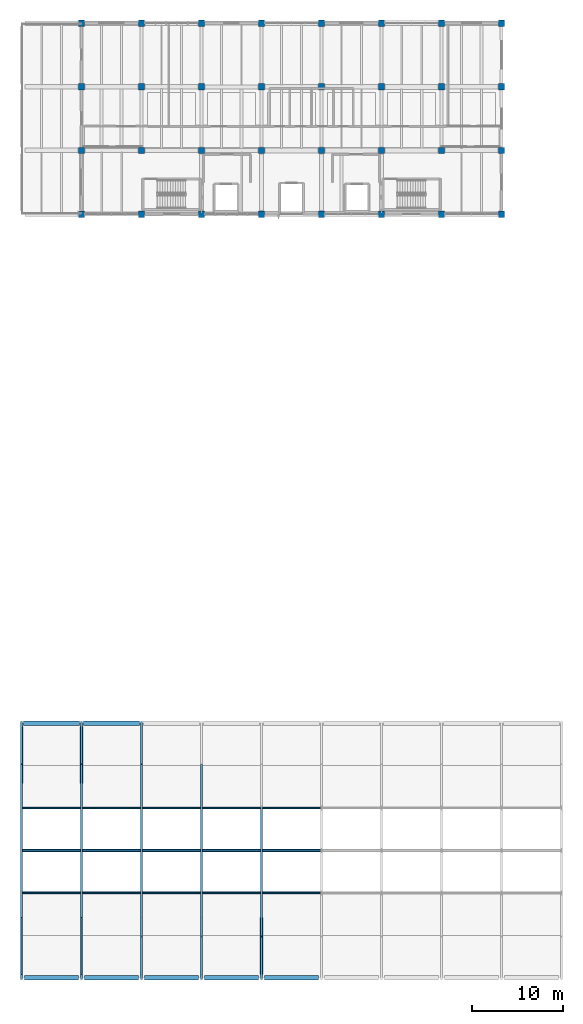
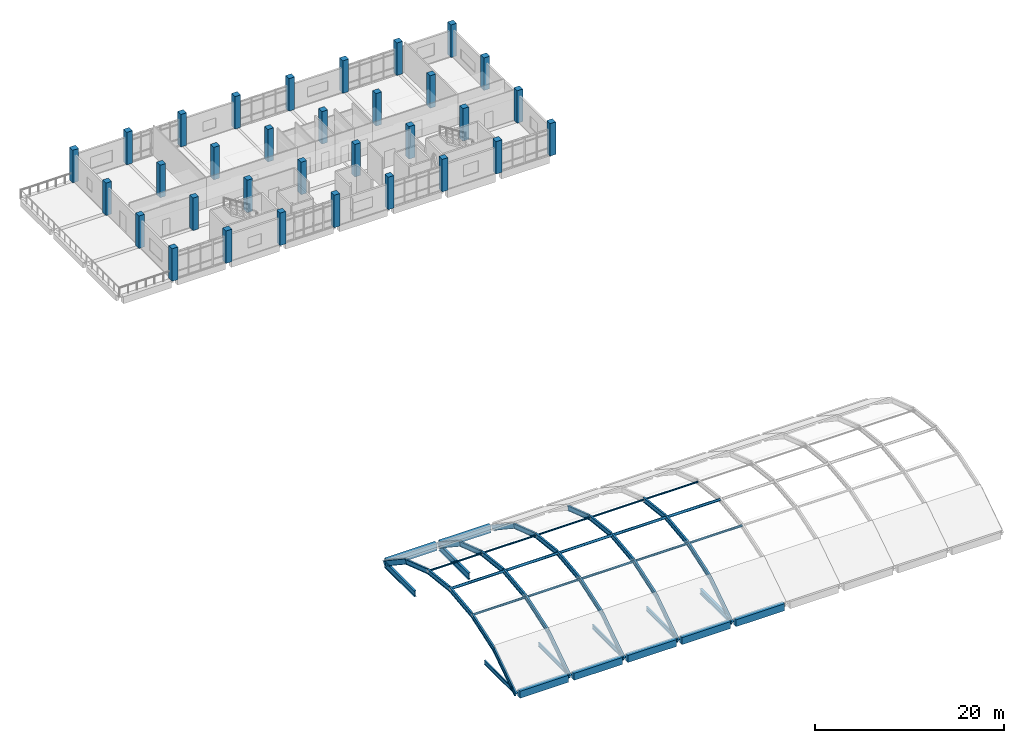
# One storey, part 1 of 20: 42 members, 32 columns, 14 beams.
"""IFC4 building model written with IfcOpenShell, lengths in metres."""

from ifc_helpers import new_model, si_unit, direction, frame, origin, origin_2d, place, context, subcontext, project, spatial, rectangle, hollow_circle, i_section, extrude, material, material_profile, profile_set, type_object, element, save


model = new_model("IFC4")

# Units and contexts
model_context = context("Model", 3, precision=1e-05, world=origin(), true_north=direction((0.0, 1.0)))
body_context = subcontext(model_context, "Body", "Model", "MODEL_VIEW")
ifc_project = project(units=[si_unit("LENGTHUNIT", "METRE"), si_unit("AREAUNIT", "SQUARE_METRE"), si_unit("VOLUMEUNIT", "CUBIC_METRE"), si_unit("PLANEANGLEUNIT", "RADIAN"), si_unit("MASSUNIT", "GRAM", prefix="KILO")], contexts=[model_context])

# Site, building, storey
site_placement = place(None, origin())
site = spatial("IfcSite", under=ifc_project, at=site_placement, CompositionType="ELEMENT")
building_placement = place(site_placement, origin())
building = spatial("IfcBuilding", under=site, at=building_placement, Name="Ciguamira Faculty of Natural Sciences", CompositionType="ELEMENT")
storey_placement = place(building_placement, frame((0.0, 0.0, 21.0)))
storey = spatial("IfcBuildingStorey", under=building, at=storey_placement, Name="L05", CompositionType="ELEMENT", Elevation=21.0)

# Columns
ifc_material_1 = material(Name="Concrete C40/50", Category="concrete")
ifc_material_profile_1 = material_profile(ifc_material_1, rectangle(XDim=0.699951171875, YDim=0.699951171875, at=origin_2d()), Name="RC-COL-700X700")
ifc_profile_set_1 = profile_set([ifc_material_profile_1], Name="Concrete C40/50")
column_type = type_object("IfcColumnType", Name="Col_C-05_RC-COL-700X700", PredefinedType="COLUMN", material=ifc_profile_set_1)
for number, where, z_axis, x_axis, name in (
    (1, (63.89990234375, 94.0, 0.0), (0.0, 0.0, 1.0), (1.0, 0.0, 0.0), "L05 column 10/P"),
    (2, (63.89990234375, 101.0, 0.0), (0.0, 0.0, 1.0), (1.0, 0.0, 0.0), "L05 column 10/Q"),
    (3, (63.89990234375, 108.0, 0.0), (0.0, 0.0, 1.0), (1.0, 0.0, 0.0), "L05 column 10/R"),
    (4, (63.89990234375, 115.0, 0.0), (0.0, 0.0, 1.0), (1.0, 0.0, 0.0), "L05 column 10/S"),
    (5, (70.5, 94.0, 0.0), (0.0, 0.0, 1.0), (1.0, 0.0, 0.0), "L05 column 11/P"),
    (6, (70.5, 101.0, 0.0), (0.0, 0.0, 1.0), (1.0, 0.0, 0.0), "L05 column 11/Q"),
    (7, (70.5, 108.0, 0.0), (0.0, 0.0, 1.0), (1.0, 0.0, 0.0), "L05 column 11/R"),
    (8, (70.5, 115.0, 0.0), (0.0, 0.0, 1.0), (1.0, 0.0, 0.0), "L05 column 11/S"),
    (9, (77.10009765625, 94.0, 0.0), (0.0, 0.0, 1.0), (1.0, 0.0, 0.0), "L05 column 12/P"),
    (10, (77.10009765625, 101.0, 0.0), (0.0, 0.0, 1.0), (1.0, 0.0, 0.0), "L05 column 12/Q"),
    (11, (77.10009765625, 108.0, 0.0), (0.0, 0.0, 1.0), (1.0, 0.0, 0.0), "L05 column 12/R"),
    (12, (77.10009765625, 115.0, 0.0), (0.0, 0.0, 1.0), (1.0, 0.0, 0.0), "L05 column 12/S"),
    (13, (83.699951171875, 94.0, 0.0), (0.0, 0.0, 1.0), (1.0, 0.0, 0.0), "L05 column 13/P"),
    (14, (83.699951171875, 101.0, 0.0), (0.0, 0.0, 1.0), (1.0, 0.0, 0.0), "L05 column 13/Q"),
    (15, (83.699951171875, 108.0, 0.0), (0.0, 0.0, 1.0), (1.0, 0.0, 0.0), "L05 column 13/R"),
    (16, (83.699951171875, 115.0, 0.0), (0.0, 0.0, 1.0), (1.0, 0.0, 0.0), "L05 column 13/S"),
    (17, (90.300048828125, 94.0, 0.0), (0.0, 0.0, 1.0), (1.0, 0.0, 0.0), "L05 column 14/P"),
    (18, (90.300048828125, 101.0, 0.0), (0.0, 0.0, 1.0), (1.0, 0.0, 0.0), "L05 column 14/Q"),
    (19, (90.300048828125, 108.0, 0.0), (0.0, 0.0, 1.0), (1.0, 0.0, 0.0), "L05 column 14/R"),
    (20, (90.300048828125, 115.0, 0.0), (0.0, 0.0, 1.0), (1.0, 0.0, 0.0), "L05 column 14/S"),
    (21, (96.89990234375, 94.0, 0.0), (0.0, 0.0, 1.0), (1.0, 0.0, 0.0), "L05 column 15/P"),
    (22, (96.89990234375, 101.0, 0.0), (0.0, 0.0, 1.0), (1.0, 0.0, 0.0), "L05 column 15/Q"),
    (23, (96.89990234375, 108.0, 0.0), (0.0, 0.0, 1.0), (1.0, 0.0, 0.0), "L05 column 15/R"),
    (24, (96.89990234375, 115.0, 0.0), (0.0, 0.0, 1.0), (1.0, 0.0, 0.0), "L05 column 15/S"),
    (25, (103.5, 94.0, 0.0), (0.0, 0.0, 1.0), (1.0, 0.0, 0.0), "L05 column 16/P"),
    (26, (103.5, 101.0, 0.0), (0.0, 0.0, 1.0), (1.0, 0.0, 0.0), "L05 column 16/Q"),
    (27, (103.5, 108.0, 0.0), (0.0, 0.0, 1.0), (1.0, 0.0, 0.0), "L05 column 16/R"),
    (28, (103.5, 115.0, 0.0), (0.0, 0.0, 1.0), (1.0, 0.0, 0.0), "L05 column 16/S"),
    (29, (110.10009765625, 94.0, 0.0), (0.0, 0.0, 1.0), (1.0, 0.0, 0.0), "L05 column 17/P"),
    (30, (110.10009765625, 101.0, 0.0), (0.0, 0.0, 1.0), (1.0, 0.0, 0.0), "L05 column 17/Q"),
    (31, (110.10009765625, 108.0, 0.0), (0.0, 0.0, 1.0), (1.0, 0.0, 0.0), "L05 column 17/R"),
    (32, (110.10009765625, 115.0, 0.0), (0.0, 0.0, 1.0), (1.0, 0.0, 0.0), "L05 column 17/S"),
):
    element("IfcColumn", number, at=place(storey_placement, frame(where, z_axis=z_axis, x_axis=x_axis)), inside=storey, type_object=column_type, Name=name, PredefinedType="COLUMN", context=body_context, shape_type="SweptSolid", body=[
        extrude(rectangle(XDim=0.699951171875, YDim=0.699951171875, at=origin_2d()), origin(), (0.0, 0.0, 1.0), 4.199951171875),
    ])

# Beams
ifc_material_profile_2 = material_profile(ifc_material_1, rectangle(XDim=0.5, YDim=0.89990234375, at=origin_2d()), Name="RC-BM-500X900")
ifc_profile_set_2 = profile_set([ifc_material_profile_2], Name="Concrete C40/50")
beam_type_1 = type_object("IfcBeamType", Name="RCBeam_BG-03_RC-BM-500X900", PredefinedType="BEAM", material=ifc_profile_set_2)
for number, where, z_axis, x_axis, name in (
    (33, (57.625, 10.0, -0.449951171875), (1.0, 0.0, 0.0), (0.0, 1.0, 0.0), "V3 atrium shell RC edge beam S-01"),
    (34, (64.22509765625, 10.0, -0.449951171875), (1.0, 0.0, 0.0), (0.0, 1.0, 0.0), "V3 atrium shell RC edge beam S-02"),
    (35, (70.824951171875, 10.0, -0.449951171875), (1.0, 0.0, 0.0), (0.0, 1.0, 0.0), "V3 atrium shell RC edge beam S-03"),
    (36, (77.425048828125, 10.0, -0.449951171875), (1.0, 0.0, 0.0), (0.0, 1.0, 0.0), "V3 atrium shell RC edge beam S-04"),
):
    element("IfcBeam", number, at=place(storey_placement, frame(where, z_axis=z_axis, x_axis=x_axis)), inside=storey, type_object=beam_type_1, Name=name, PredefinedType="BEAM", context=body_context, shape_type="SweptSolid", body=[
        extrude(rectangle(XDim=0.5, YDim=0.89990234375, at=origin_2d()), origin(), (0.0, 0.0, 1.0), 5.949951171875),
    ])
beam_1_placement = place(storey_placement, frame((84.02490234375, 10.0, -0.449951171875), z_axis=(1.0, 0.0, 0.0), x_axis=(0.0, 1.0, 0.0)))
element("IfcBeam", 37, at=beam_1_placement, inside=storey, type_object=beam_type_1, Name="V3 atrium shell RC edge beam S-05", PredefinedType="BEAM", context=body_context, shape_type="SweptSolid", body=[
    extrude(rectangle(XDim=0.5, YDim=0.89990234375, at=origin_2d()), origin(), (0.0, 0.0, 1.0), 5.9501953125),
])
beam_2_placement = place(storey_placement, frame((57.52490234375, 38.0, -0.449951171875), z_axis=(1.0, 0.0, 0.0), x_axis=(0.0, 1.0, 0.0)))
element("IfcBeam", 38, at=beam_2_placement, inside=storey, type_object=beam_type_1, Name="V3 atrium shell RC edge beam N-01", PredefinedType="BEAM", context=body_context, shape_type="SweptSolid", body=[
    extrude(rectangle(XDim=0.5, YDim=0.89990234375, at=origin_2d()), origin(), (0.0, 0.0, 1.0), 6.150146484375),
])
beam_3_placement = place(storey_placement, frame((64.125, 38.0, -0.449951171875), z_axis=(1.0, 0.0, 0.0), x_axis=(0.0, 1.0, 0.0)))
element("IfcBeam", 39, at=beam_3_placement, inside=storey, type_object=beam_type_1, Name="V3 atrium shell RC edge beam N-02", PredefinedType="BEAM", context=body_context, shape_type="SweptSolid", body=[
    extrude(rectangle(XDim=0.5, YDim=0.89990234375, at=origin_2d()), origin(), (0.0, 0.0, 1.0), 6.14990234375),
])
ifc_material_2 = material(Name="Steel ASTM A992 Grade 50", Category="steel")
ifc_material_profile_3 = material_profile(ifc_material_2, i_section(OverallWidth=0.1650390625, OverallDepth=0.52587890625, WebThickness=0.0087890625, FlangeThickness=0.011474609375, at=origin_2d()), Name="W21X44")
ifc_profile_set_3 = profile_set([ifc_material_profile_3], Name="Steel ASTM A992 Grade 50")
beam_type_2 = type_object("IfcBeamType", Name="SteelGirder_SB-26_W21X44", PredefinedType="BEAM", material=ifc_profile_set_3)
beam_4_placement = place(storey_placement, frame((57.300048828125, 10.35009765625, -0.262939453125), z_axis=(0.0, 1.0, 0.0), x_axis=(-1.0, 0.0, 0.0)))
element("IfcBeam", 40, at=beam_4_placement, inside=storey, type_object=beam_type_2, Name="L05 atrium steel roof girder 01", PredefinedType="BEAM", context=body_context, shape_type="SweptSolid", body=[
    extrude(i_section(OverallWidth=0.1650390625, OverallDepth=0.52587890625, WebThickness=0.0087890625, FlangeThickness=0.011474609375, at=origin_2d()), origin(), (0.0, 0.0, 1.0), 6.2998046875),
])
ifc_material_profile_4 = material_profile(ifc_material_2, i_section(OverallWidth=0.16650390625, OverallDepth=0.535888671875, WebThickness=0.01025390625, FlangeThickness=0.0166015625, at=origin_2d()), Name="W21X57")
ifc_profile_set_4 = profile_set([ifc_material_profile_4], Name="Steel ASTM A992 Grade 50")
beam_type_3 = type_object("IfcBeamType", Name="SteelGirder_SB-27_W21X57", PredefinedType="BEAM", material=ifc_profile_set_4)
beam_5_placement = place(storey_placement, frame((63.89990234375, 10.35009765625, -0.26806640625), z_axis=(0.0, 1.0, 0.0), x_axis=(-1.0, 0.0, 0.0)))
element("IfcBeam", 41, at=beam_5_placement, inside=storey, type_object=beam_type_3, Name="L05 atrium steel roof girder 02", PredefinedType="BEAM", context=body_context, shape_type="SweptSolid", body=[
    extrude(i_section(OverallWidth=0.16650390625, OverallDepth=0.535888671875, WebThickness=0.01025390625, FlangeThickness=0.0166015625, at=origin_2d()), origin(), (0.0, 0.0, 1.0), 6.2998046875),
])
ifc_material_profile_5 = material_profile(ifc_material_2, i_section(OverallWidth=0.2099609375, OverallDepth=0.535888671875, WebThickness=0.010986328125, FlangeThickness=0.017333984375, at=origin_2d()), Name="W21X68")
ifc_profile_set_5 = profile_set([ifc_material_profile_5], Name="Steel ASTM A992 Grade 50")
beam_type_4 = type_object("IfcBeamType", Name="SteelGirder_SB-28_W21X68", PredefinedType="BEAM", material=ifc_profile_set_5)
beam_6_placement = place(storey_placement, frame((70.5, 10.35009765625, -0.26806640625), z_axis=(0.0, 1.0, 0.0), x_axis=(-1.0, 0.0, 0.0)))
element("IfcBeam", 42, at=beam_6_placement, inside=storey, type_object=beam_type_4, Name="L05 atrium steel roof girder 03", PredefinedType="BEAM", context=body_context, shape_type="SweptSolid", body=[
    extrude(i_section(OverallWidth=0.2099609375, OverallDepth=0.535888671875, WebThickness=0.010986328125, FlangeThickness=0.017333984375, at=origin_2d()), origin(), (0.0, 0.0, 1.0), 6.2998046875),
])
ifc_material_profile_6 = material_profile(ifc_material_2, i_section(OverallWidth=0.21240234375, OverallDepth=0.54345703125, WebThickness=0.01318359375, FlangeThickness=0.021240234375, at=origin_2d()), Name="W21X83")
ifc_profile_set_6 = profile_set([ifc_material_profile_6], Name="Steel ASTM A992 Grade 50")
beam_type_5 = type_object("IfcBeamType", Name="SteelGirder_SB-29_W21X83", PredefinedType="BEAM", material=ifc_profile_set_6)
beam_7_placement = place(storey_placement, frame((77.10009765625, 10.35009765625, -0.271728515625), z_axis=(0.0, 1.0, 0.0), x_axis=(-1.0, 0.0, 0.0)))
element("IfcBeam", 43, at=beam_7_placement, inside=storey, type_object=beam_type_5, Name="L05 atrium steel roof girder 04", PredefinedType="BEAM", context=body_context, shape_type="SweptSolid", body=[
    extrude(i_section(OverallWidth=0.21240234375, OverallDepth=0.54345703125, WebThickness=0.01318359375, FlangeThickness=0.021240234375, at=origin_2d()), origin(), (0.0, 0.0, 1.0), 6.2998046875),
])
ifc_material_profile_7 = material_profile(ifc_material_2, i_section(OverallWidth=0.3251953125, OverallDepth=0.612060546875, WebThickness=0.0126953125, FlangeThickness=0.01904296875, at=origin_2d()), Name="W24X104")
ifc_profile_set_7 = profile_set([ifc_material_profile_7], Name="Steel ASTM A992 Grade 50")
beam_type_6 = type_object("IfcBeamType", Name="SteelGirder_SB-30_W24X104", PredefinedType="BEAM", material=ifc_profile_set_7)
beam_8_placement = place(storey_placement, frame((83.699951171875, 10.35009765625, -0.30615234375), z_axis=(0.0, 1.0, 0.0), x_axis=(-1.0, 0.0, 0.0)))
element("IfcBeam", 44, at=beam_8_placement, inside=storey, type_object=beam_type_6, Name="L05 atrium steel roof girder 05", PredefinedType="BEAM", context=body_context, shape_type="SweptSolid", body=[
    extrude(i_section(OverallWidth=0.3251953125, OverallDepth=0.612060546875, WebThickness=0.0126953125, FlangeThickness=0.01904296875, at=origin_2d()), origin(), (0.0, 0.0, 1.0), 6.2998046875),
])
ifc_material_profile_8 = material_profile(ifc_material_2, i_section(OverallWidth=0.2666015625, OverallDepth=0.75439453125, WebThickness=0.01318359375, FlangeThickness=0.01708984375, at=origin_2d()), Name="W30X99")
ifc_profile_set_8 = profile_set([ifc_material_profile_8], Name="Steel ASTM A992 Grade 50")
beam_type_7 = type_object("IfcBeamType", Name="SteelGirder_SB-35_W30X99", PredefinedType="BEAM", material=ifc_profile_set_8)
beam_9_placement = place(storey_placement, frame((57.300048828125, 31.35009765625, -0.377197265625), z_axis=(0.0, 1.0, 0.0), x_axis=(-1.0, 0.0, 0.0)))
element("IfcBeam", 45, at=beam_9_placement, inside=storey, type_object=beam_type_7, Name="L05 atrium steel roof girder 10", PredefinedType="BEAM", context=body_context, shape_type="SweptSolid", body=[
    extrude(i_section(OverallWidth=0.2666015625, OverallDepth=0.75439453125, WebThickness=0.01318359375, FlangeThickness=0.01708984375, at=origin_2d()), origin(), (0.0, 0.0, 1.0), 6.2998046875),
])
ifc_material_profile_9 = material_profile(ifc_material_2, i_section(OverallWidth=0.2919921875, OverallDepth=0.835693359375, WebThickness=0.013916015625, FlangeThickness=0.018798828125, at=origin_2d()), Name="W33X118")
ifc_profile_set_9 = profile_set([ifc_material_profile_9], Name="Steel ASTM A992 Grade 50")
beam_type_8 = type_object("IfcBeamType", Name="SteelGirder_SB-36_W33X118", PredefinedType="BEAM", material=ifc_profile_set_9)
beam_10_placement = place(storey_placement, frame((63.89990234375, 31.35009765625, -0.417724609375), z_axis=(0.0, 1.0, 0.0), x_axis=(-1.0, 0.0, 0.0)))
element("IfcBeam", 46, at=beam_10_placement, inside=storey, type_object=beam_type_8, Name="L05 atrium steel roof girder 11", PredefinedType="BEAM", context=body_context, shape_type="SweptSolid", body=[
    extrude(i_section(OverallWidth=0.2919921875, OverallDepth=0.835693359375, WebThickness=0.013916015625, FlangeThickness=0.018798828125, at=origin_2d()), origin(), (0.0, 0.0, 1.0), 6.2998046875),
])

# Members
ifc_material_3 = material(Name="Steel ASTM A500 Grade C", Category="steel")
ifc_material_profile_10 = material_profile(ifc_material_3, hollow_circle(Radius=0.136474609375, WallThickness=0.01171875, at=origin_2d()), Name="HSS10.750X0.500")
ifc_profile_set_10 = profile_set([ifc_material_profile_10], Name="Steel ASTM A500 Grade C")
member_type_1 = type_object("IfcMemberType", Name="SteelMember_HC-01_HSS10.750X0.500", PredefinedType="CHORD", material=ifc_profile_set_10)
member_1_placement = place(storey_placement, frame((57.300048828125, 19.333251953125, 4.18212890625), z_axis=(1.0, 0.0, 0.0), x_axis=(0.0, 1.0, 0.0)))
element("IfcMember", 47, at=member_1_placement, inside=storey, type_object=member_type_1, Name="Atrium Skylight Tubular Truss Chord 1-01", PredefinedType="CHORD", context=body_context, shape_type="SweptSolid", body=[
    extrude(hollow_circle(Radius=0.136474609375, WallThickness=0.01171875, at=origin_2d()), origin(), (0.0, 0.0, 1.0), 6.599853515625),
])
for number, where, z_axis, x_axis, name in (
    (48, (63.89990234375, 19.333251953125, 4.18212890625), (1.0, 0.0, 0.0), (0.0, 1.0, 0.0), "Atrium Skylight Tubular Truss Chord 1-02"),
    (49, (70.5, 19.333251953125, 4.18212890625), (1.0, 0.0, 0.0), (0.0, 1.0, 0.0), "Atrium Skylight Tubular Truss Chord 1-03"),
):
    element("IfcMember", number, at=place(storey_placement, frame(where, z_axis=z_axis, x_axis=x_axis)), inside=storey, type_object=member_type_1, Name=name, PredefinedType="CHORD", context=body_context, shape_type="SweptSolid", body=[
        extrude(hollow_circle(Radius=0.136474609375, WallThickness=0.01171875, at=origin_2d()), origin(), (0.0, 0.0, 1.0), 6.60009765625),
    ])
member_2_placement = place(storey_placement, frame((77.10009765625, 19.333251953125, 4.18212890625), z_axis=(1.0, 0.0, 0.0), x_axis=(0.0, 1.0, 0.0)))
element("IfcMember", 50, at=member_2_placement, inside=storey, type_object=member_type_1, Name="Atrium Skylight Tubular Truss Chord 1-04", PredefinedType="CHORD", context=body_context, shape_type="SweptSolid", body=[
    extrude(hollow_circle(Radius=0.136474609375, WallThickness=0.01171875, at=origin_2d()), origin(), (0.0, 0.0, 1.0), 6.599853515625),
])
member_3_placement = place(storey_placement, frame((83.699951171875, 19.333251953125, 4.18212890625), z_axis=(1.0, 0.0, 0.0), x_axis=(0.0, 1.0, 0.0)))
element("IfcMember", 51, at=member_3_placement, inside=storey, type_object=member_type_1, Name="Atrium Skylight Tubular Truss Chord 1-05", PredefinedType="CHORD", context=body_context, shape_type="SweptSolid", body=[
    extrude(hollow_circle(Radius=0.136474609375, WallThickness=0.01171875, at=origin_2d()), origin(), (0.0, 0.0, 1.0), 6.60009765625),
])
ifc_material_profile_11 = material_profile(ifc_material_3, hollow_circle(Radius=0.161865234375, WallThickness=0.01171875, at=origin_2d()), Name="HSS12.750X0.500")
ifc_profile_set_11 = profile_set([ifc_material_profile_11], Name="Steel ASTM A500 Grade C")
member_type_2 = type_object("IfcMemberType", Name="SteelMember_HC-02_HSS12.750X0.500", PredefinedType="CHORD", material=ifc_profile_set_11)
member_4_placement = place(storey_placement, frame((57.300048828125, 24.0, 4.7138671875), z_axis=(1.0, 0.0, 0.0), x_axis=(0.0, 1.0, 0.0)))
element("IfcMember", 52, at=member_4_placement, inside=storey, type_object=member_type_2, Name="Atrium Skylight Tubular Truss Chord 2-01", PredefinedType="CHORD", context=body_context, shape_type="SweptSolid", body=[
    extrude(hollow_circle(Radius=0.161865234375, WallThickness=0.01171875, at=origin_2d()), origin(), (0.0, 0.0, 1.0), 6.599853515625),
])
for number, where, z_axis, x_axis, name in (
    (53, (63.89990234375, 24.0, 4.7138671875), (1.0, 0.0, 0.0), (0.0, 1.0, 0.0), "Atrium Skylight Tubular Truss Chord 2-02"),
    (54, (70.5, 24.0, 4.7138671875), (1.0, 0.0, 0.0), (0.0, 1.0, 0.0), "Atrium Skylight Tubular Truss Chord 2-03"),
):
    element("IfcMember", number, at=place(storey_placement, frame(where, z_axis=z_axis, x_axis=x_axis)), inside=storey, type_object=member_type_2, Name=name, PredefinedType="CHORD", context=body_context, shape_type="SweptSolid", body=[
        extrude(hollow_circle(Radius=0.161865234375, WallThickness=0.01171875, at=origin_2d()), origin(), (0.0, 0.0, 1.0), 6.60009765625),
    ])
member_5_placement = place(storey_placement, frame((77.10009765625, 24.0, 4.7138671875), z_axis=(1.0, 0.0, 0.0), x_axis=(0.0, 1.0, 0.0)))
element("IfcMember", 55, at=member_5_placement, inside=storey, type_object=member_type_2, Name="Atrium Skylight Tubular Truss Chord 2-04", PredefinedType="CHORD", context=body_context, shape_type="SweptSolid", body=[
    extrude(hollow_circle(Radius=0.161865234375, WallThickness=0.01171875, at=origin_2d()), origin(), (0.0, 0.0, 1.0), 6.599853515625),
])
member_6_placement = place(storey_placement, frame((83.699951171875, 24.0, 4.7138671875), z_axis=(1.0, 0.0, 0.0), x_axis=(0.0, 1.0, 0.0)))
element("IfcMember", 56, at=member_6_placement, inside=storey, type_object=member_type_2, Name="Atrium Skylight Tubular Truss Chord 2-05", PredefinedType="CHORD", context=body_context, shape_type="SweptSolid", body=[
    extrude(hollow_circle(Radius=0.161865234375, WallThickness=0.01171875, at=origin_2d()), origin(), (0.0, 0.0, 1.0), 6.60009765625),
])
ifc_material_profile_12 = material_profile(ifc_material_3, hollow_circle(Radius=0.109619140625, WallThickness=0.0087890625, at=origin_2d()), Name="HSS8.625X0.375")
ifc_profile_set_12 = profile_set([ifc_material_profile_12], Name="Steel ASTM A500 Grade C")
member_type_3 = type_object("IfcMemberType", Name="SteelMember_HS-02_HSS8.625X0.375", PredefinedType="STRUT", material=ifc_profile_set_12)
member_7_placement = place(storey_placement, frame((57.300048828125, 28.666748046875, 4.18212890625), z_axis=(1.0, 0.0, 0.0), x_axis=(0.0, 1.0, 0.0)))
element("IfcMember", 57, at=member_7_placement, inside=storey, type_object=member_type_3, Name="Atrium Skylight Tubular Truss Chord 3-01", PredefinedType="STRUT", context=body_context, shape_type="SweptSolid", body=[
    extrude(hollow_circle(Radius=0.109619140625, WallThickness=0.0087890625, at=origin_2d()), origin(), (0.0, 0.0, 1.0), 6.599853515625),
])
for number, where, z_axis, x_axis, name in (
    (58, (63.89990234375, 28.666748046875, 4.18212890625), (1.0, 0.0, 0.0), (0.0, 1.0, 0.0), "Atrium Skylight Tubular Truss Chord 3-02"),
    (59, (70.5, 28.666748046875, 4.18212890625), (1.0, 0.0, 0.0), (0.0, 1.0, 0.0), "Atrium Skylight Tubular Truss Chord 3-03"),
):
    element("IfcMember", number, at=place(storey_placement, frame(where, z_axis=z_axis, x_axis=x_axis)), inside=storey, type_object=member_type_3, Name=name, PredefinedType="STRUT", context=body_context, shape_type="SweptSolid", body=[
        extrude(hollow_circle(Radius=0.109619140625, WallThickness=0.0087890625, at=origin_2d()), origin(), (0.0, 0.0, 1.0), 6.60009765625),
    ])
member_8_placement = place(storey_placement, frame((77.10009765625, 28.666748046875, 4.18212890625), z_axis=(1.0, 0.0, 0.0), x_axis=(0.0, 1.0, 0.0)))
element("IfcMember", 60, at=member_8_placement, inside=storey, type_object=member_type_3, Name="Atrium Skylight Tubular Truss Chord 3-04", PredefinedType="STRUT", context=body_context, shape_type="SweptSolid", body=[
    extrude(hollow_circle(Radius=0.109619140625, WallThickness=0.0087890625, at=origin_2d()), origin(), (0.0, 0.0, 1.0), 6.599853515625),
])
member_9_placement = place(storey_placement, frame((83.699951171875, 28.666748046875, 4.18212890625), z_axis=(1.0, 0.0, 0.0), x_axis=(0.0, 1.0, 0.0)))
element("IfcMember", 61, at=member_9_placement, inside=storey, type_object=member_type_3, Name="Atrium Skylight Tubular Truss Chord 3-05", PredefinedType="STRUT", context=body_context, shape_type="SweptSolid", body=[
    extrude(hollow_circle(Radius=0.109619140625, WallThickness=0.0087890625, at=origin_2d()), origin(), (0.0, 0.0, 1.0), 6.60009765625),
])
ifc_material_profile_13 = material_profile(ifc_material_2, i_section(OverallWidth=0.22900390625, OverallDepth=0.612060546875, WebThickness=0.011962890625, FlangeThickness=0.01953125, at=origin_2d()), Name="W24X84")
ifc_profile_set_13 = profile_set([ifc_material_profile_13], Name="Steel ASTM A992 Grade 50")
member_type_4 = type_object("IfcMemberType", Name="SteelMember_TC-03_W24X84", PredefinedType="CHORD", material=ifc_profile_set_13)
member_10_placement = place(storey_placement, frame((57.300048828125, 10.0, -0.486083984375), z_axis=(0.0, 0.833643717327, 0.552302591485), x_axis=(-1.0, 0.0, 0.0)))
element("IfcMember", 62, at=member_10_placement, inside=storey, type_object=member_type_4, Name="V3 atrium arch truss top chord 01-01", PredefinedType="CHORD", context=body_context, shape_type="SweptSolid", body=[
    extrude(i_section(OverallWidth=0.22900390625, OverallDepth=0.612060546875, WebThickness=0.011962890625, FlangeThickness=0.01953125, at=origin_2d()), origin(), (0.0, 0.0, 1.0), 5.597900390625),
])
member_11_placement = place(storey_placement, frame((57.300048828125, 14.666748046875, 2.605712890625), z_axis=(0.0, 0.947401758516, 0.320046727777), x_axis=(-1.0, 0.0, 0.0)))
element("IfcMember", 63, at=member_11_placement, inside=storey, type_object=member_type_4, Name="V3 atrium arch truss top chord 01-02", PredefinedType="CHORD", context=body_context, shape_type="SweptSolid", body=[
    extrude(i_section(OverallWidth=0.22900390625, OverallDepth=0.612060546875, WebThickness=0.011962890625, FlangeThickness=0.01953125, at=origin_2d()), origin(), (0.0, 0.0, 1.0), 4.925537109375),
])
for number, where, z_axis, x_axis, name in (
    (64, (57.300048828125, 19.333251953125, 4.18212890625), (0.0, 0.993571149145, 0.113209414744), (-1.0, 0.0, 0.0), "V3 atrium arch truss top chord 01-03"),
    (65, (57.300048828125, 24.0, 4.7138671875), (0.0, 0.993571149145, -0.113209414744), (-1.0, 0.0, 0.0), "V3 atrium arch truss top chord 01-04"),
):
    element("IfcMember", number, at=place(storey_placement, frame(where, z_axis=z_axis, x_axis=x_axis)), inside=storey, type_object=member_type_4, Name=name, PredefinedType="CHORD", context=body_context, shape_type="SweptSolid", body=[
        extrude(i_section(OverallWidth=0.22900390625, OverallDepth=0.612060546875, WebThickness=0.011962890625, FlangeThickness=0.01953125, at=origin_2d()), origin(), (0.0, 0.0, 1.0), 4.697021484375),
    ])
member_12_placement = place(storey_placement, frame((57.300048828125, 28.666748046875, 4.18212890625), z_axis=(0.0, 0.947401758516, -0.320046727777), x_axis=(-1.0, 0.0, 0.0)))
element("IfcMember", 66, at=member_12_placement, inside=storey, type_object=member_type_4, Name="V3 atrium arch truss top chord 01-05", PredefinedType="CHORD", context=body_context, shape_type="SweptSolid", body=[
    extrude(i_section(OverallWidth=0.22900390625, OverallDepth=0.612060546875, WebThickness=0.011962890625, FlangeThickness=0.01953125, at=origin_2d()), origin(), (0.0, 0.0, 1.0), 4.925537109375),
])
for number, where, z_axis, x_axis, name in (
    (67, (57.300048828125, 33.333251953125, 2.605712890625), (0.0, 0.833643717327, -0.552302591485), (-1.0, 0.0, 0.0), "V3 atrium arch truss top chord 01-06"),
    (68, (63.89990234375, 10.0, -0.486083984375), (0.0, 0.833643717327, 0.552302591485), (-1.0, 0.0, 0.0), "V3 atrium arch truss top chord 02-01"),
):
    element("IfcMember", number, at=place(storey_placement, frame(where, z_axis=z_axis, x_axis=x_axis)), inside=storey, type_object=member_type_4, Name=name, PredefinedType="CHORD", context=body_context, shape_type="SweptSolid", body=[
        extrude(i_section(OverallWidth=0.22900390625, OverallDepth=0.612060546875, WebThickness=0.011962890625, FlangeThickness=0.01953125, at=origin_2d()), origin(), (0.0, 0.0, 1.0), 5.597900390625),
    ])
member_13_placement = place(storey_placement, frame((63.89990234375, 14.666748046875, 2.605712890625), z_axis=(0.0, 0.947401758516, 0.320046727777), x_axis=(-1.0, 0.0, 0.0)))
element("IfcMember", 69, at=member_13_placement, inside=storey, type_object=member_type_4, Name="V3 atrium arch truss top chord 02-02", PredefinedType="CHORD", context=body_context, shape_type="SweptSolid", body=[
    extrude(i_section(OverallWidth=0.22900390625, OverallDepth=0.612060546875, WebThickness=0.011962890625, FlangeThickness=0.01953125, at=origin_2d()), origin(), (0.0, 0.0, 1.0), 4.925537109375),
])
for number, where, z_axis, x_axis, name in (
    (70, (63.89990234375, 19.333251953125, 4.18212890625), (0.0, 0.993571149145, 0.113209414744), (-1.0, 0.0, 0.0), "V3 atrium arch truss top chord 02-03"),
    (71, (63.89990234375, 24.0, 4.7138671875), (0.0, 0.993571149145, -0.113209414744), (-1.0, 0.0, 0.0), "V3 atrium arch truss top chord 02-04"),
):
    element("IfcMember", number, at=place(storey_placement, frame(where, z_axis=z_axis, x_axis=x_axis)), inside=storey, type_object=member_type_4, Name=name, PredefinedType="CHORD", context=body_context, shape_type="SweptSolid", body=[
        extrude(i_section(OverallWidth=0.22900390625, OverallDepth=0.612060546875, WebThickness=0.011962890625, FlangeThickness=0.01953125, at=origin_2d()), origin(), (0.0, 0.0, 1.0), 4.697021484375),
    ])
member_14_placement = place(storey_placement, frame((63.89990234375, 28.666748046875, 4.18212890625), z_axis=(0.0, 0.947401758516, -0.320046727777), x_axis=(-1.0, 0.0, 0.0)))
element("IfcMember", 72, at=member_14_placement, inside=storey, type_object=member_type_4, Name="V3 atrium arch truss top chord 02-05", PredefinedType="CHORD", context=body_context, shape_type="SweptSolid", body=[
    extrude(i_section(OverallWidth=0.22900390625, OverallDepth=0.612060546875, WebThickness=0.011962890625, FlangeThickness=0.01953125, at=origin_2d()), origin(), (0.0, 0.0, 1.0), 4.925537109375),
])
for number, where, z_axis, x_axis, name in (
    (73, (63.89990234375, 33.333251953125, 2.605712890625), (0.0, 0.833643717327, -0.552302591485), (-1.0, 0.0, 0.0), "V3 atrium arch truss top chord 02-06"),
    (74, (70.5, 10.0, -0.486083984375), (0.0, 0.833643717327, 0.552302591485), (-1.0, 0.0, 0.0), "V3 atrium arch truss top chord 03-01"),
):
    element("IfcMember", number, at=place(storey_placement, frame(where, z_axis=z_axis, x_axis=x_axis)), inside=storey, type_object=member_type_4, Name=name, PredefinedType="CHORD", context=body_context, shape_type="SweptSolid", body=[
        extrude(i_section(OverallWidth=0.22900390625, OverallDepth=0.612060546875, WebThickness=0.011962890625, FlangeThickness=0.01953125, at=origin_2d()), origin(), (0.0, 0.0, 1.0), 5.597900390625),
    ])
member_15_placement = place(storey_placement, frame((70.5, 14.666748046875, 2.605712890625), z_axis=(0.0, 0.947401758516, 0.320046727777), x_axis=(-1.0, 0.0, 0.0)))
element("IfcMember", 75, at=member_15_placement, inside=storey, type_object=member_type_4, Name="V3 atrium arch truss top chord 03-02", PredefinedType="CHORD", context=body_context, shape_type="SweptSolid", body=[
    extrude(i_section(OverallWidth=0.22900390625, OverallDepth=0.612060546875, WebThickness=0.011962890625, FlangeThickness=0.01953125, at=origin_2d()), origin(), (0.0, 0.0, 1.0), 4.925537109375),
])
for number, where, z_axis, x_axis, name in (
    (76, (70.5, 19.333251953125, 4.18212890625), (0.0, 0.993571149145, 0.113209414744), (-1.0, 0.0, 0.0), "V3 atrium arch truss top chord 03-03"),
    (77, (70.5, 24.0, 4.7138671875), (0.0, 0.993571149145, -0.113209414744), (-1.0, 0.0, 0.0), "V3 atrium arch truss top chord 03-04"),
):
    element("IfcMember", number, at=place(storey_placement, frame(where, z_axis=z_axis, x_axis=x_axis)), inside=storey, type_object=member_type_4, Name=name, PredefinedType="CHORD", context=body_context, shape_type="SweptSolid", body=[
        extrude(i_section(OverallWidth=0.22900390625, OverallDepth=0.612060546875, WebThickness=0.011962890625, FlangeThickness=0.01953125, at=origin_2d()), origin(), (0.0, 0.0, 1.0), 4.697021484375),
    ])
member_16_placement = place(storey_placement, frame((70.5, 28.666748046875, 4.18212890625), z_axis=(0.0, 0.947401758516, -0.320046727777), x_axis=(-1.0, 0.0, 0.0)))
element("IfcMember", 78, at=member_16_placement, inside=storey, type_object=member_type_4, Name="V3 atrium arch truss top chord 03-05", PredefinedType="CHORD", context=body_context, shape_type="SweptSolid", body=[
    extrude(i_section(OverallWidth=0.22900390625, OverallDepth=0.612060546875, WebThickness=0.011962890625, FlangeThickness=0.01953125, at=origin_2d()), origin(), (0.0, 0.0, 1.0), 4.925537109375),
])
for number, where, z_axis, x_axis, name in (
    (79, (70.5, 33.333251953125, 2.605712890625), (0.0, 0.833643717327, -0.552302591485), (-1.0, 0.0, 0.0), "V3 atrium arch truss top chord 03-06"),
    (80, (77.10009765625, 10.0, -0.486083984375), (0.0, 0.833643717327, 0.552302591485), (-1.0, 0.0, 0.0), "V3 atrium arch truss top chord 04-01"),
):
    element("IfcMember", number, at=place(storey_placement, frame(where, z_axis=z_axis, x_axis=x_axis)), inside=storey, type_object=member_type_4, Name=name, PredefinedType="CHORD", context=body_context, shape_type="SweptSolid", body=[
        extrude(i_section(OverallWidth=0.22900390625, OverallDepth=0.612060546875, WebThickness=0.011962890625, FlangeThickness=0.01953125, at=origin_2d()), origin(), (0.0, 0.0, 1.0), 5.597900390625),
    ])
member_17_placement = place(storey_placement, frame((77.10009765625, 14.666748046875, 2.605712890625), z_axis=(0.0, 0.947401758516, 0.320046727777), x_axis=(-1.0, 0.0, 0.0)))
element("IfcMember", 81, at=member_17_placement, inside=storey, type_object=member_type_4, Name="V3 atrium arch truss top chord 04-02", PredefinedType="CHORD", context=body_context, shape_type="SweptSolid", body=[
    extrude(i_section(OverallWidth=0.22900390625, OverallDepth=0.612060546875, WebThickness=0.011962890625, FlangeThickness=0.01953125, at=origin_2d()), origin(), (0.0, 0.0, 1.0), 4.925537109375),
])
for number, where, z_axis, x_axis, name in (
    (82, (77.10009765625, 19.333251953125, 4.18212890625), (0.0, 0.993571149145, 0.113209414744), (-1.0, 0.0, 0.0), "V3 atrium arch truss top chord 04-03"),
    (83, (77.10009765625, 24.0, 4.7138671875), (0.0, 0.993571149145, -0.113209414744), (-1.0, 0.0, 0.0), "V3 atrium arch truss top chord 04-04"),
):
    element("IfcMember", number, at=place(storey_placement, frame(where, z_axis=z_axis, x_axis=x_axis)), inside=storey, type_object=member_type_4, Name=name, PredefinedType="CHORD", context=body_context, shape_type="SweptSolid", body=[
        extrude(i_section(OverallWidth=0.22900390625, OverallDepth=0.612060546875, WebThickness=0.011962890625, FlangeThickness=0.01953125, at=origin_2d()), origin(), (0.0, 0.0, 1.0), 4.697021484375),
    ])
member_18_placement = place(storey_placement, frame((77.10009765625, 28.666748046875, 4.18212890625), z_axis=(0.0, 0.947401758516, -0.320046727777), x_axis=(-1.0, 0.0, 0.0)))
element("IfcMember", 84, at=member_18_placement, inside=storey, type_object=member_type_4, Name="V3 atrium arch truss top chord 04-05", PredefinedType="CHORD", context=body_context, shape_type="SweptSolid", body=[
    extrude(i_section(OverallWidth=0.22900390625, OverallDepth=0.612060546875, WebThickness=0.011962890625, FlangeThickness=0.01953125, at=origin_2d()), origin(), (0.0, 0.0, 1.0), 4.925537109375),
])
member_19_placement = place(storey_placement, frame((83.699951171875, 10.0, -0.486083984375), z_axis=(0.0, 0.833643717327, 0.552302591485), x_axis=(-1.0, 0.0, 0.0)))
element("IfcMember", 85, at=member_19_placement, inside=storey, type_object=member_type_4, Name="V3 atrium arch truss top chord 05-01", PredefinedType="CHORD", context=body_context, shape_type="SweptSolid", body=[
    extrude(i_section(OverallWidth=0.22900390625, OverallDepth=0.612060546875, WebThickness=0.011962890625, FlangeThickness=0.01953125, at=origin_2d()), origin(), (0.0, 0.0, 1.0), 5.597900390625),
])
member_20_placement = place(storey_placement, frame((83.699951171875, 14.666748046875, 2.605712890625), z_axis=(0.0, 0.947401758516, 0.320046727777), x_axis=(-1.0, 0.0, 0.0)))
element("IfcMember", 86, at=member_20_placement, inside=storey, type_object=member_type_4, Name="V3 atrium arch truss top chord 05-02", PredefinedType="CHORD", context=body_context, shape_type="SweptSolid", body=[
    extrude(i_section(OverallWidth=0.22900390625, OverallDepth=0.612060546875, WebThickness=0.011962890625, FlangeThickness=0.01953125, at=origin_2d()), origin(), (0.0, 0.0, 1.0), 4.925537109375),
])
for number, where, z_axis, x_axis, name in (
    (87, (83.699951171875, 19.333251953125, 4.18212890625), (0.0, 0.993571149145, 0.113209414744), (-1.0, 0.0, 0.0), "V3 atrium arch truss top chord 05-03"),
    (88, (83.699951171875, 24.0, 4.7138671875), (0.0, 0.993571149145, -0.113209414744), (-1.0, 0.0, 0.0), "V3 atrium arch truss top chord 05-04"),
):
    element("IfcMember", number, at=place(storey_placement, frame(where, z_axis=z_axis, x_axis=x_axis)), inside=storey, type_object=member_type_4, Name=name, PredefinedType="CHORD", context=body_context, shape_type="SweptSolid", body=[
        extrude(i_section(OverallWidth=0.22900390625, OverallDepth=0.612060546875, WebThickness=0.011962890625, FlangeThickness=0.01953125, at=origin_2d()), origin(), (0.0, 0.0, 1.0), 4.697021484375),
    ])

save(model, "model.ifc")
